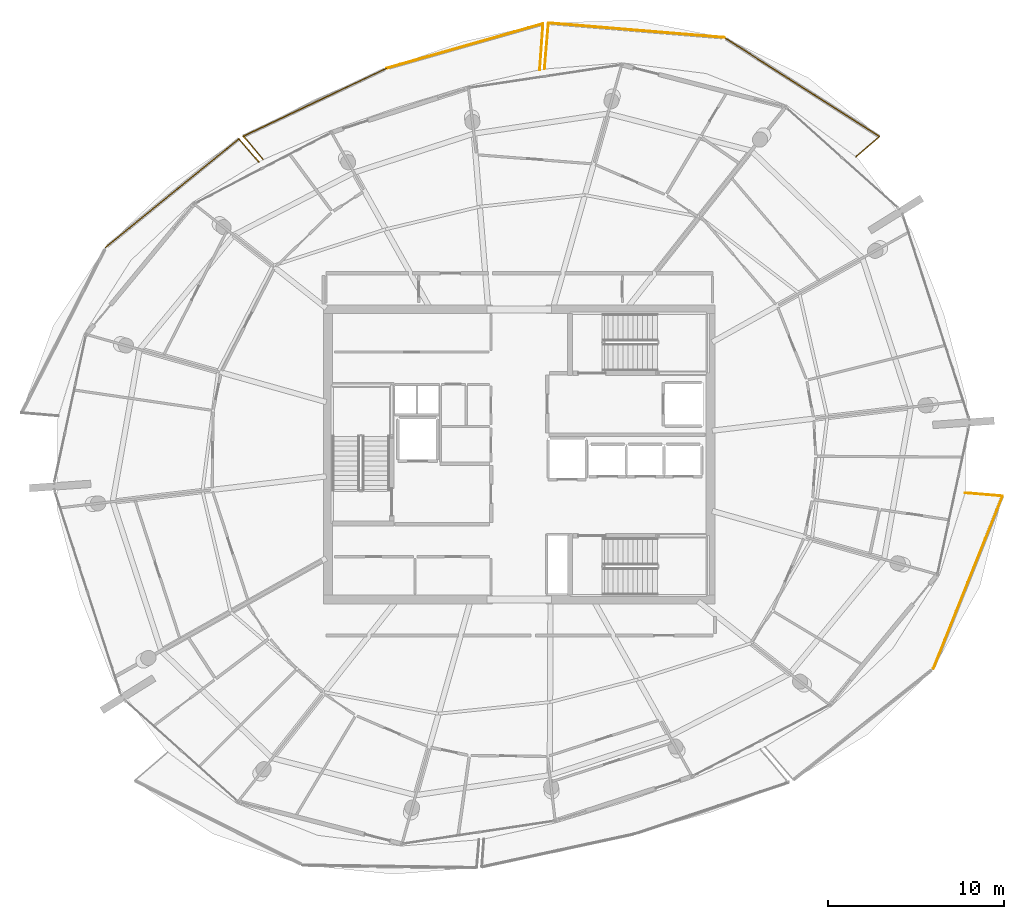
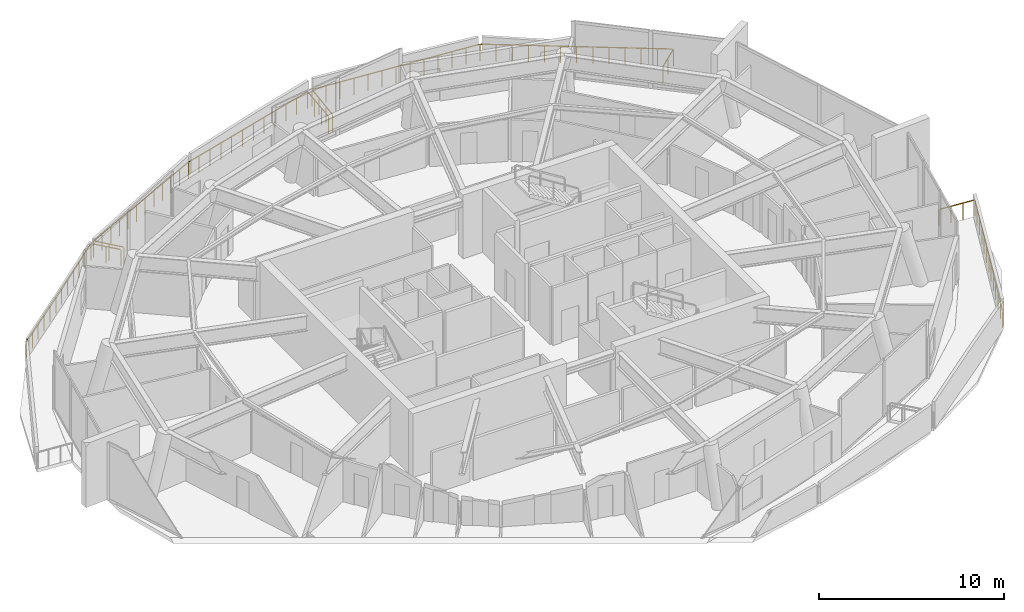
# One storey, part 19 of 19: 12 railings.
"""IFC4 building model written with IfcOpenShell, lengths in metres."""

from ifc_helpers import new_model, si_unit, direction, frame, origin, origin_2d, place, context, subcontext, project, spatial, rectangle, extrude, material, type_object, element, save


model = new_model("IFC4")

# Units and contexts
model_context = context("Model", 3, precision=1e-05, world=origin(), true_north=direction((0.0, 1.0)))
body_context = subcontext(model_context, "Body", "Model", "MODEL_VIEW")
ifc_project = project(units=[si_unit("LENGTHUNIT", "METRE"), si_unit("AREAUNIT", "SQUARE_METRE"), si_unit("VOLUMEUNIT", "CUBIC_METRE"), si_unit("PLANEANGLEUNIT", "RADIAN"), si_unit("MASSUNIT", "GRAM", prefix="KILO")], contexts=[model_context])

# Site, building, storey
site_placement = place(None, origin())
site = spatial("IfcSite", under=ifc_project, at=site_placement, CompositionType="ELEMENT")
building_placement = place(site_placement, origin())
building = spatial("IfcBuilding", under=site, at=building_placement, Name="Kazma Halo Residences", CompositionType="ELEMENT")
storey_placement = place(building_placement, frame((0.0, 0.0, 347.300048828125)))
storey = spatial("IfcBuildingStorey", under=building, at=storey_placement, Name="L87", CompositionType="ELEMENT", Elevation=347.300048828125)

# Railings
ifc_material = material(Name="Aluminium AW-6063 T6 Brushed Cap Rail", Category="aluminium")
railing_type = type_object("IfcRailingType", Name="RLG-BAL-CAP-1120", PredefinedType="BALUSTRADE", material=ifc_material)
railing_1_placement = place(storey_placement, frame((67.578369140625, 58.929443359375, 0.0)))
element("IfcRailing", 1, at=railing_1_placement, inside=storey, type_object=railing_type, Name="L87 NE wave balcony guard 1", PredefinedType="BALUSTRADE", context=body_context, shape_type="SweptSolid", body=[
    extrude(rectangle(XDim=0.050048828125, YDim=0.050048828125, at=origin_2d()), frame((0.0322265625, 0.02783203125, 1.09521484375), z_axis=(0.756404061743, 0.654104651702, 0.0), x_axis=(-0.654104651702, 0.756404061743, 0.0)), (0.0, 0.0, 1.0), 1.67138671875),
    extrude(rectangle(XDim=0.0400390625, YDim=0.0400390625, at=origin_2d()), origin(), (0.0, 0.0, 1.0), 1.05810546875),
    extrude(rectangle(XDim=0.0400390625, YDim=0.0400390625, at=origin_2d()), frame((0.664306640625, 0.574462890625, 0.0)), (0.0, 0.0, 1.0), 1.05810546875),
    extrude(rectangle(XDim=0.0400390625, YDim=0.0400390625, at=origin_2d()), frame((1.32861328125, 1.14892578125, 0.0)), (0.0, 0.0, 1.0), 1.05810546875),
])
railing_2_placement = place(storey_placement, frame((68.906982421875, 60.078369140625, 0.0)))
element("IfcRailing", 2, at=railing_2_placement, inside=storey, type_object=railing_type, Name="L87 NE wave balcony guard 2", PredefinedType="BALUSTRADE", context=body_context, shape_type="SweptSolid", body=[
    extrude(rectangle(XDim=0.050048828125, YDim=0.050048828125, at=origin_2d()), frame((-0.035888671875, 0.02294921875, 1.09521484375), z_axis=(-0.842930984743, 0.538021704915, 0.0), x_axis=(-0.538021704915, -0.842930984743, 0.0)), (0.0, 0.0, 1.0), 10.384765625),
    extrude(rectangle(XDim=0.0400390625, YDim=0.0400390625, at=origin_2d()), origin(), (0.0, 0.0, 1.0), 1.05810546875),
    extrude(rectangle(XDim=0.0400390625, YDim=0.0400390625, at=origin_2d()), frame((-0.7353515625, 0.469482421875, 0.0)), (0.0, 0.0, 1.0), 1.05810546875),
    extrude(rectangle(XDim=0.0400390625, YDim=0.0400390625, at=origin_2d()), frame((-1.470947265625, 0.93896484375, 0.0)), (0.0, 0.0, 1.0), 1.05810546875),
    extrude(rectangle(XDim=0.0400390625, YDim=0.0400390625, at=origin_2d()), frame((-2.206298828125, 1.408203125, 0.0)), (0.0, 0.0, 1.0), 1.05810546875),
    extrude(rectangle(XDim=0.0400390625, YDim=0.0400390625, at=origin_2d()), frame((-2.94189453125, 1.877685546875, 0.0)), (0.0, 0.0, 1.0), 1.05810546875),
    extrude(rectangle(XDim=0.0400390625, YDim=0.0400390625, at=origin_2d()), frame((-3.67724609375, 2.34716796875, 0.0)), (0.0, 0.0, 1.0), 1.05810546875),
    extrude(rectangle(XDim=0.0400390625, YDim=0.0400390625, at=origin_2d()), frame((-4.41259765625, 2.81640625, 0.0)), (0.0, 0.0, 1.0), 1.05810546875),
    extrude(rectangle(XDim=0.0400390625, YDim=0.0400390625, at=origin_2d()), frame((-5.148193359375, 3.285888671875, 0.0)), (0.0, 0.0, 1.0), 1.05810546875),
    extrude(rectangle(XDim=0.0400390625, YDim=0.0400390625, at=origin_2d()), frame((-5.883544921875, 3.75537109375, 0.0)), (0.0, 0.0, 1.0), 1.05810546875),
    extrude(rectangle(XDim=0.0400390625, YDim=0.0400390625, at=origin_2d()), frame((-6.619140625, 4.224853515625, 0.0)), (0.0, 0.0, 1.0), 1.05810546875),
    extrude(rectangle(XDim=0.0400390625, YDim=0.0400390625, at=origin_2d()), frame((-7.3544921875, 4.6943359375, 0.0)), (0.0, 0.0, 1.0), 1.05810546875),
    extrude(rectangle(XDim=0.0400390625, YDim=0.0400390625, at=origin_2d()), frame((-8.090087890625, 5.16357421875, 0.0)), (0.0, 0.0, 1.0), 1.05810546875),
    extrude(rectangle(XDim=0.0400390625, YDim=0.0400390625, at=origin_2d()), frame((-8.825439453125, 5.633056640625, 0.0)), (0.0, 0.0, 1.0), 1.05810546875),
])
railing_3_placement = place(storey_placement, frame((60.08154296875, 65.71142578125, 0.0)))
element("IfcRailing", 3, at=railing_3_placement, inside=storey, type_object=railing_type, Name="L87 NE wave balcony guard 3", PredefinedType="BALUSTRADE", context=body_context, shape_type="SweptSolid", body=[
    extrude(rectangle(XDim=0.050048828125, YDim=0.050048828125, at=origin_2d()), frame((-0.04248046875, 0.00341796875, 1.09521484375), z_axis=(-0.996604242263, 0.082340660086, 0.0), x_axis=(-0.082340660086, -0.996604242263, 0.0)), (0.0, 0.0, 1.0), 9.948486328125),
    extrude(rectangle(XDim=0.0400390625, YDim=0.0400390625, at=origin_2d()), origin(), (0.0, 0.0, 1.0), 1.05810546875),
    extrude(rectangle(XDim=0.0400390625, YDim=0.0400390625, at=origin_2d()), frame((-0.833251953125, 0.06884765625, 0.0)), (0.0, 0.0, 1.0), 1.05810546875),
    extrude(rectangle(XDim=0.0400390625, YDim=0.0400390625, at=origin_2d()), frame((-1.66650390625, 0.1376953125, 0.0)), (0.0, 0.0, 1.0), 1.05810546875),
    extrude(rectangle(XDim=0.0400390625, YDim=0.0400390625, at=origin_2d()), frame((-2.5, 0.20654296875, 0.0)), (0.0, 0.0, 1.0), 1.05810546875),
    extrude(rectangle(XDim=0.0400390625, YDim=0.0400390625, at=origin_2d()), frame((-3.333251953125, 0.275390625, 0.0)), (0.0, 0.0, 1.0), 1.05810546875),
    extrude(rectangle(XDim=0.0400390625, YDim=0.0400390625, at=origin_2d()), frame((-4.16650390625, 0.34423828125, 0.0)), (0.0, 0.0, 1.0), 1.05810546875),
    extrude(rectangle(XDim=0.0400390625, YDim=0.0400390625, at=origin_2d()), frame((-4.999755859375, 0.4130859375, 0.0)), (0.0, 0.0, 1.0), 1.05810546875),
    extrude(rectangle(XDim=0.0400390625, YDim=0.0400390625, at=origin_2d()), frame((-5.8330078125, 0.48193359375, 0.0)), (0.0, 0.0, 1.0), 1.05810546875),
    extrude(rectangle(XDim=0.0400390625, YDim=0.0400390625, at=origin_2d()), frame((-6.666259765625, 0.55078125, 0.0)), (0.0, 0.0, 1.0), 1.05810546875),
    extrude(rectangle(XDim=0.0400390625, YDim=0.0400390625, at=origin_2d()), frame((-7.49951171875, 0.61962890625, 0.0)), (0.0, 0.0, 1.0), 1.05810546875),
    extrude(rectangle(XDim=0.0400390625, YDim=0.0400390625, at=origin_2d()), frame((-8.3330078125, 0.6884765625, 0.0)), (0.0, 0.0, 1.0), 1.05810546875),
    extrude(rectangle(XDim=0.0400390625, YDim=0.0400390625, at=origin_2d()), frame((-9.166259765625, 0.75732421875, 0.0)), (0.0, 0.0, 1.0), 1.05810546875),
    extrude(rectangle(XDim=0.0400390625, YDim=0.0400390625, at=origin_2d()), frame((-9.99951171875, 0.826171875, 0.0)), (0.0, 0.0, 1.0), 1.05810546875),
])
railing_4_placement = place(storey_placement, frame((50.08203125, 66.53759765625, 0.0)))
element("IfcRailing", 4, at=railing_4_placement, inside=storey, type_object=railing_type, Name="L87 NE wave balcony guard 4", PredefinedType="BALUSTRADE", context=body_context, shape_type="SweptSolid", body=[
    extrude(rectangle(XDim=0.050048828125, YDim=0.050048828125, at=origin_2d()), frame((-0.003662109375, -0.04248046875, 1.09521484375), z_axis=(-0.084529050422, -0.996421015251, 0.0), x_axis=(0.996421015251, -0.084529050422, 0.0)), (0.0, 0.0, 1.0), 2.543212890625),
    extrude(rectangle(XDim=0.0400390625, YDim=0.0400390625, at=origin_2d()), origin(), (0.0, 0.0, 1.0), 1.05810546875),
    extrude(rectangle(XDim=0.0400390625, YDim=0.0400390625, at=origin_2d()), frame((-0.073974609375, -0.873046875, 0.0)), (0.0, 0.0, 1.0), 1.05810546875),
    extrude(rectangle(XDim=0.0400390625, YDim=0.0400390625, at=origin_2d()), frame((-0.148193359375, -1.745849609375, 0.0)), (0.0, 0.0, 1.0), 1.05810546875),
    extrude(rectangle(XDim=0.0400390625, YDim=0.0400390625, at=origin_2d()), frame((-0.22216796875, -2.618896484375, 0.0)), (0.0, 0.0, 1.0), 1.05810546875),
])
railing_5_placement = place(storey_placement, frame((49.58740234375, 63.8779296875, 0.0)))
element("IfcRailing", 5, at=railing_5_placement, inside=storey, type_object=railing_type, Name="L87 NNW wave balcony guard 1", PredefinedType="BALUSTRADE", context=body_context, shape_type="SweptSolid", body=[
    extrude(rectangle(XDim=0.050048828125, YDim=0.050048828125, at=origin_2d()), frame((0.003173828125, 0.04248046875, 1.09521484375), z_axis=(0.072384250527, 0.9973768196, 0.0), x_axis=(-0.9973768196, 0.072384250527, 0.0)), (0.0, 0.0, 1.0), 2.5390625),
    extrude(rectangle(XDim=0.0400390625, YDim=0.0400390625, at=origin_2d()), origin(), (0.0, 0.0, 1.0), 1.05810546875),
    extrude(rectangle(XDim=0.0400390625, YDim=0.0400390625, at=origin_2d()), frame((0.063232421875, 0.872314453125, 0.0)), (0.0, 0.0, 1.0), 1.05810546875),
    extrude(rectangle(XDim=0.0400390625, YDim=0.0400390625, at=origin_2d()), frame((0.126708984375, 1.744873046875, 0.0)), (0.0, 0.0, 1.0), 1.05810546875),
    extrude(rectangle(XDim=0.0400390625, YDim=0.0400390625, at=origin_2d()), frame((0.18994140625, 2.6171875, 0.0)), (0.0, 0.0, 1.0), 1.05810546875),
])
railing_6_placement = place(storey_placement, frame((49.77734375, 66.4951171875, 0.0)))
element("IfcRailing", 6, at=railing_6_placement, inside=storey, type_object=railing_type, Name="L87 NNW wave balcony guard 2", PredefinedType="BALUSTRADE", context=body_context, shape_type="SweptSolid", body=[
    extrude(rectangle(XDim=0.050048828125, YDim=0.050048828125, at=origin_2d()), frame((-0.041015625, -0.01171875, 1.09521484375), z_axis=(-0.961724531252, -0.274018112518, 0.0), x_axis=(0.274018112518, -0.961724531252, 0.0)), (0.0, 0.0, 1.0), 9.180908203125),
    extrude(rectangle(XDim=0.0400390625, YDim=0.0400390625, at=origin_2d()), origin(), (0.0, 0.0, 1.0), 1.05810546875),
    extrude(rectangle(XDim=0.0400390625, YDim=0.0400390625, at=origin_2d()), frame((-0.81005859375, -0.230712890625, 0.0)), (0.0, 0.0, 1.0), 1.05810546875),
    extrude(rectangle(XDim=0.0400390625, YDim=0.0400390625, at=origin_2d()), frame((-1.620361328125, -0.461669921875, 0.0)), (0.0, 0.0, 1.0), 1.05810546875),
    extrude(rectangle(XDim=0.0400390625, YDim=0.0400390625, at=origin_2d()), frame((-2.430419921875, -0.6923828125, 0.0)), (0.0, 0.0, 1.0), 1.05810546875),
    extrude(rectangle(XDim=0.0400390625, YDim=0.0400390625, at=origin_2d()), frame((-3.240478515625, -0.92333984375, 0.0)), (0.0, 0.0, 1.0), 1.05810546875),
    extrude(rectangle(XDim=0.0400390625, YDim=0.0400390625, at=origin_2d()), frame((-4.050537109375, -1.154052734375, 0.0)), (0.0, 0.0, 1.0), 1.05810546875),
    extrude(rectangle(XDim=0.0400390625, YDim=0.0400390625, at=origin_2d()), frame((-4.86083984375, -1.385009765625, 0.0)), (0.0, 0.0, 1.0), 1.05810546875),
    extrude(rectangle(XDim=0.0400390625, YDim=0.0400390625, at=origin_2d()), frame((-5.6708984375, -1.61572265625, 0.0)), (0.0, 0.0, 1.0), 1.05810546875),
    extrude(rectangle(XDim=0.0400390625, YDim=0.0400390625, at=origin_2d()), frame((-6.48095703125, -1.8466796875, 0.0)), (0.0, 0.0, 1.0), 1.05810546875),
    extrude(rectangle(XDim=0.0400390625, YDim=0.0400390625, at=origin_2d()), frame((-7.291015625, -2.077392578125, 0.0)), (0.0, 0.0, 1.0), 1.05810546875),
    extrude(rectangle(XDim=0.0400390625, YDim=0.0400390625, at=origin_2d()), frame((-8.101318359375, -2.308349609375, 0.0)), (0.0, 0.0, 1.0), 1.05810546875),
    extrude(rectangle(XDim=0.0400390625, YDim=0.0400390625, at=origin_2d()), frame((-8.911376953125, -2.5390625, 0.0)), (0.0, 0.0, 1.0), 1.05810546875),
])
railing_7_placement = place(storey_placement, frame((40.865966796875, 63.9560546875, 0.0)))
element("IfcRailing", 7, at=railing_7_placement, inside=storey, type_object=railing_type, Name="L87 NNW wave balcony guard 3", PredefinedType="BALUSTRADE", context=body_context, shape_type="SweptSolid", body=[
    extrude(rectangle(XDim=0.050048828125, YDim=0.050048828125, at=origin_2d()), frame((-0.038330078125, -0.018310546875, 1.09521484375), z_axis=(-0.903562151519, -0.428457043754, 0.0), x_axis=(0.428457043754, -0.903562151519, 0.0)), (0.0, 0.0, 1.0), 8.916748046875),
    extrude(rectangle(XDim=0.0400390625, YDim=0.0400390625, at=origin_2d()), origin(), (0.0, 0.0, 1.0), 1.05810546875),
    extrude(rectangle(XDim=0.0400390625, YDim=0.0400390625, at=origin_2d()), frame((-0.739501953125, -0.3505859375, 0.0)), (0.0, 0.0, 1.0), 1.05810546875),
    extrude(rectangle(XDim=0.0400390625, YDim=0.0400390625, at=origin_2d()), frame((-1.478759765625, -0.701171875, 0.0)), (0.0, 0.0, 1.0), 1.05810546875),
    extrude(rectangle(XDim=0.0400390625, YDim=0.0400390625, at=origin_2d()), frame((-2.21826171875, -1.052001953125, 0.0)), (0.0, 0.0, 1.0), 1.05810546875),
    extrude(rectangle(XDim=0.0400390625, YDim=0.0400390625, at=origin_2d()), frame((-2.957763671875, -1.402587890625, 0.0)), (0.0, 0.0, 1.0), 1.05810546875),
    extrude(rectangle(XDim=0.0400390625, YDim=0.0400390625, at=origin_2d()), frame((-3.697265625, -1.753173828125, 0.0)), (0.0, 0.0, 1.0), 1.05810546875),
    extrude(rectangle(XDim=0.0400390625, YDim=0.0400390625, at=origin_2d()), frame((-4.4365234375, -2.103759765625, 0.0)), (0.0, 0.0, 1.0), 1.05810546875),
    extrude(rectangle(XDim=0.0400390625, YDim=0.0400390625, at=origin_2d()), frame((-5.176025390625, -2.454345703125, 0.0)), (0.0, 0.0, 1.0), 1.05810546875),
    extrude(rectangle(XDim=0.0400390625, YDim=0.0400390625, at=origin_2d()), frame((-5.91552734375, -2.804931640625, 0.0)), (0.0, 0.0, 1.0), 1.05810546875),
    extrude(rectangle(XDim=0.0400390625, YDim=0.0400390625, at=origin_2d()), frame((-6.655029296875, -3.15576171875, 0.0)), (0.0, 0.0, 1.0), 1.05810546875),
    extrude(rectangle(XDim=0.0400390625, YDim=0.0400390625, at=origin_2d()), frame((-7.394287109375, -3.50634765625, 0.0)), (0.0, 0.0, 1.0), 1.05810546875),
    extrude(rectangle(XDim=0.0400390625, YDim=0.0400390625, at=origin_2d()), frame((-8.1337890625, -3.85693359375, 0.0)), (0.0, 0.0, 1.0), 1.05810546875),
])
railing_8_placement = place(storey_placement, frame((32.732177734375, 60.09912109375, 0.0)))
element("IfcRailing", 8, at=railing_8_placement, inside=storey, type_object=railing_type, Name="L87 NNW wave balcony guard 4", PredefinedType="BALUSTRADE", context=body_context, shape_type="SweptSolid", body=[
    extrude(rectangle(XDim=0.050048828125, YDim=0.050048828125, at=origin_2d()), frame((0.02734375, -0.032470703125, 1.09521484375), z_axis=(0.64477378827, -0.764373444044, 0.0), x_axis=(0.764373444044, 0.64477378827, 0.0)), (0.0, 0.0, 1.0), 1.658203125),
    extrude(rectangle(XDim=0.0400390625, YDim=0.0400390625, at=origin_2d()), origin(), (0.0, 0.0, 1.0), 1.05810546875),
    extrude(rectangle(XDim=0.0400390625, YDim=0.0400390625, at=origin_2d()), frame((0.56201171875, -0.666259765625, 0.0)), (0.0, 0.0, 1.0), 1.05810546875),
    extrude(rectangle(XDim=0.0400390625, YDim=0.0400390625, at=origin_2d()), frame((1.1240234375, -1.33251953125, 0.0)), (0.0, 0.0, 1.0), 1.05810546875),
])
railing_9_placement = place(storey_placement, frame((33.61181640625, 58.639404296875, 0.0)))
element("IfcRailing", 9, at=railing_9_placement, inside=storey, type_object=railing_type, Name="L87 NW wave balcony guard 1", PredefinedType="BALUSTRADE", context=body_context, shape_type="SweptSolid", body=[
    extrude(rectangle(XDim=0.050048828125, YDim=0.050048828125, at=origin_2d()), frame((-0.02783203125, 0.0322265625, 1.09521484375), z_axis=(-0.653997355522, 0.756496833417, 0.0), x_axis=(-0.756496833417, -0.653997355522, 0.0)), (0.0, 0.0, 1.0), 1.64892578125),
    extrude(rectangle(XDim=0.0400390625, YDim=0.0400390625, at=origin_2d()), origin(), (0.0, 0.0, 1.0), 1.05810546875),
    extrude(rectangle(XDim=0.0400390625, YDim=0.0400390625, at=origin_2d()), frame((-0.56689453125, 0.65576171875, 0.0)), (0.0, 0.0, 1.0), 1.05810546875),
    extrude(rectangle(XDim=0.0400390625, YDim=0.0400390625, at=origin_2d()), frame((-1.134033203125, 1.311767578125, 0.0)), (0.0, 0.0, 1.0), 1.05810546875),
])
railing_10_placement = place(storey_placement, frame((32.477783203125, 59.951171875, 0.0)))
element("IfcRailing", 10, at=railing_10_placement, inside=storey, type_object=railing_type, Name="L87 NW wave balcony guard 2", PredefinedType="BALUSTRADE", context=body_context, shape_type="SweptSolid", body=[
    extrude(rectangle(XDim=0.050048828125, YDim=0.050048828125, at=origin_2d()), frame((-0.032958984375, -0.02685546875, 1.09521484375), z_axis=(-0.775313291473, -0.631576836232, 0.0), x_axis=(0.631576836232, -0.775313291473, 0.0)), (0.0, 0.0, 1.0), 9.69677734375),
    extrude(rectangle(XDim=0.0400390625, YDim=0.0400390625, at=origin_2d()), origin(), (0.0, 0.0, 1.0), 1.05810546875),
    extrude(rectangle(XDim=0.0400390625, YDim=0.0400390625, at=origin_2d()), frame((-0.689453125, -0.5615234375, 0.0)), (0.0, 0.0, 1.0), 1.05810546875),
    extrude(rectangle(XDim=0.0400390625, YDim=0.0400390625, at=origin_2d()), frame((-1.37890625, -1.123291015625, 0.0)), (0.0, 0.0, 1.0), 1.05810546875),
    extrude(rectangle(XDim=0.0400390625, YDim=0.0400390625, at=origin_2d()), frame((-2.068359375, -1.684814453125, 0.0)), (0.0, 0.0, 1.0), 1.05810546875),
    extrude(rectangle(XDim=0.0400390625, YDim=0.0400390625, at=origin_2d()), frame((-2.7578125, -2.24658203125, 0.0)), (0.0, 0.0, 1.0), 1.05810546875),
    extrude(rectangle(XDim=0.0400390625, YDim=0.0400390625, at=origin_2d()), frame((-3.447265625, -2.80810546875, 0.0)), (0.0, 0.0, 1.0), 1.05810546875),
    extrude(rectangle(XDim=0.0400390625, YDim=0.0400390625, at=origin_2d()), frame((-4.13671875, -3.369873046875, 0.0)), (0.0, 0.0, 1.0), 1.05810546875),
    extrude(rectangle(XDim=0.0400390625, YDim=0.0400390625, at=origin_2d()), frame((-4.826171875, -3.931396484375, 0.0)), (0.0, 0.0, 1.0), 1.05810546875),
    extrude(rectangle(XDim=0.0400390625, YDim=0.0400390625, at=origin_2d()), frame((-5.515625, -4.4931640625, 0.0)), (0.0, 0.0, 1.0), 1.05810546875),
    extrude(rectangle(XDim=0.0400390625, YDim=0.0400390625, at=origin_2d()), frame((-6.205078125, -5.0546875, 0.0)), (0.0, 0.0, 1.0), 1.05810546875),
    extrude(rectangle(XDim=0.0400390625, YDim=0.0400390625, at=origin_2d()), frame((-6.89453125, -5.616455078125, 0.0)), (0.0, 0.0, 1.0), 1.05810546875),
    extrude(rectangle(XDim=0.0400390625, YDim=0.0400390625, at=origin_2d()), frame((-7.583984375, -6.177978515625, 0.0)), (0.0, 0.0, 1.0), 1.05810546875),
])
railing_11_placement = place(storey_placement, frame((71.962158203125, 29.79052734375, 0.0)))
element("IfcRailing", 11, at=railing_11_placement, inside=storey, type_object=railing_type, Name="L87 SE wave balcony guard 3", PredefinedType="BALUSTRADE", context=body_context, shape_type="SweptSolid", body=[
    extrude(rectangle(XDim=0.050048828125, YDim=0.050048828125, at=origin_2d()), frame((0.015869140625, 0.03955078125, 1.09521484375), z_axis=(0.37226386395, 0.928126939377, 0.0), x_axis=(-0.928126939377, 0.37226386395, 0.0)), (0.0, 0.0, 1.0), 10.518310546875),
    extrude(rectangle(XDim=0.0400390625, YDim=0.0400390625, at=origin_2d()), origin(), (0.0, 0.0, 1.0), 1.05810546875),
    extrude(rectangle(XDim=0.0400390625, YDim=0.0400390625, at=origin_2d()), frame((0.328857421875, 0.820068359375, 0.0)), (0.0, 0.0, 1.0), 1.05810546875),
    extrude(rectangle(XDim=0.0400390625, YDim=0.0400390625, at=origin_2d()), frame((0.657958984375, 1.64013671875, 0.0)), (0.0, 0.0, 1.0), 1.05810546875),
    extrude(rectangle(XDim=0.0400390625, YDim=0.0400390625, at=origin_2d()), frame((0.98681640625, 2.46044921875, 0.0)), (0.0, 0.0, 1.0), 1.05810546875),
    extrude(rectangle(XDim=0.0400390625, YDim=0.0400390625, at=origin_2d()), frame((1.315673828125, 3.280517578125, 0.0)), (0.0, 0.0, 1.0), 1.05810546875),
    extrude(rectangle(XDim=0.0400390625, YDim=0.0400390625, at=origin_2d()), frame((1.644775390625, 4.1005859375, 0.0)), (0.0, 0.0, 1.0), 1.05810546875),
    extrude(rectangle(XDim=0.0400390625, YDim=0.0400390625, at=origin_2d()), frame((1.9736328125, 4.920654296875, 0.0)), (0.0, 0.0, 1.0), 1.05810546875),
    extrude(rectangle(XDim=0.0400390625, YDim=0.0400390625, at=origin_2d()), frame((2.302490234375, 5.74072265625, 0.0)), (0.0, 0.0, 1.0), 1.05810546875),
    extrude(rectangle(XDim=0.0400390625, YDim=0.0400390625, at=origin_2d()), frame((2.631591796875, 6.560791015625, 0.0)), (0.0, 0.0, 1.0), 1.05810546875),
    extrude(rectangle(XDim=0.0400390625, YDim=0.0400390625, at=origin_2d()), frame((2.96044921875, 7.380859375, 0.0)), (0.0, 0.0, 1.0), 1.05810546875),
    extrude(rectangle(XDim=0.0400390625, YDim=0.0400390625, at=origin_2d()), frame((3.289306640625, 8.201171875, 0.0)), (0.0, 0.0, 1.0), 1.05810546875),
    extrude(rectangle(XDim=0.0400390625, YDim=0.0400390625, at=origin_2d()), frame((3.618408203125, 9.021240234375, 0.0)), (0.0, 0.0, 1.0), 1.05810546875),
    extrude(rectangle(XDim=0.0400390625, YDim=0.0400390625, at=origin_2d()), frame((3.947265625, 9.84130859375, 0.0)), (0.0, 0.0, 1.0), 1.05810546875),
])
railing_12_placement = place(storey_placement, frame((75.909423828125, 39.6318359375, 0.0)))
element("IfcRailing", 12, at=railing_12_placement, inside=storey, type_object=railing_type, Name="L87 SE wave balcony guard 4", PredefinedType="BALUSTRADE", context=body_context, shape_type="SweptSolid", body=[
    extrude(rectangle(XDim=0.050048828125, YDim=0.050048828125, at=origin_2d()), frame((-0.04248046875, 0.003662109375, 1.09521484375), z_axis=(-0.99641552549, 0.084593738312, 0.0), x_axis=(-0.084593738312, -0.99641552549, 0.0)), (0.0, 0.0, 1.0), 2.0419921875),
    extrude(rectangle(XDim=0.0400390625, YDim=0.0400390625, at=origin_2d()), origin(), (0.0, 0.0, 1.0), 1.05810546875),
    extrude(rectangle(XDim=0.0400390625, YDim=0.0400390625, at=origin_2d()), frame((-0.70654296875, 0.06005859375, 0.0)), (0.0, 0.0, 1.0), 1.05810546875),
    extrude(rectangle(XDim=0.0400390625, YDim=0.0400390625, at=origin_2d()), frame((-1.412841796875, 0.119873046875, 0.0)), (0.0, 0.0, 1.0), 1.05810546875),
    extrude(rectangle(XDim=0.0400390625, YDim=0.0400390625, at=origin_2d()), frame((-2.119384765625, 0.179931640625, 0.0)), (0.0, 0.0, 1.0), 1.05810546875),
])

save(model, "model.ifc")
